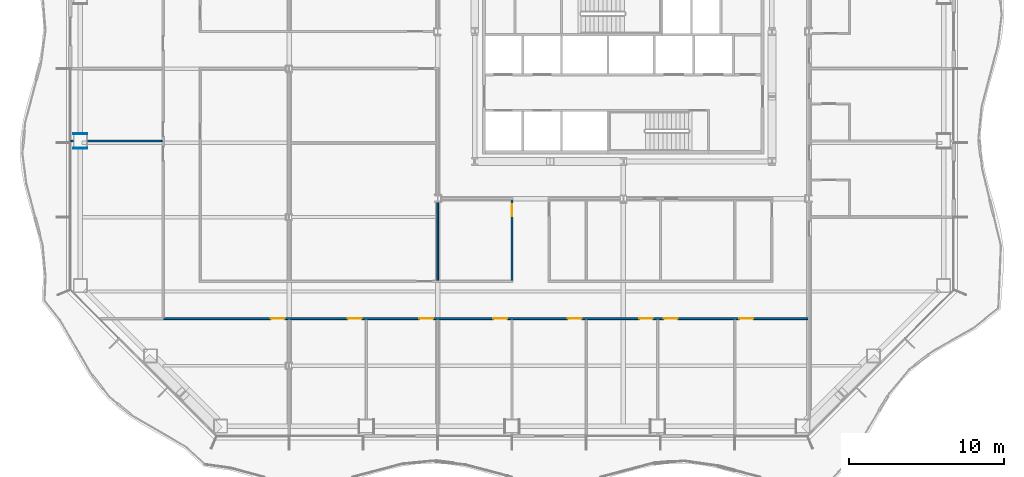
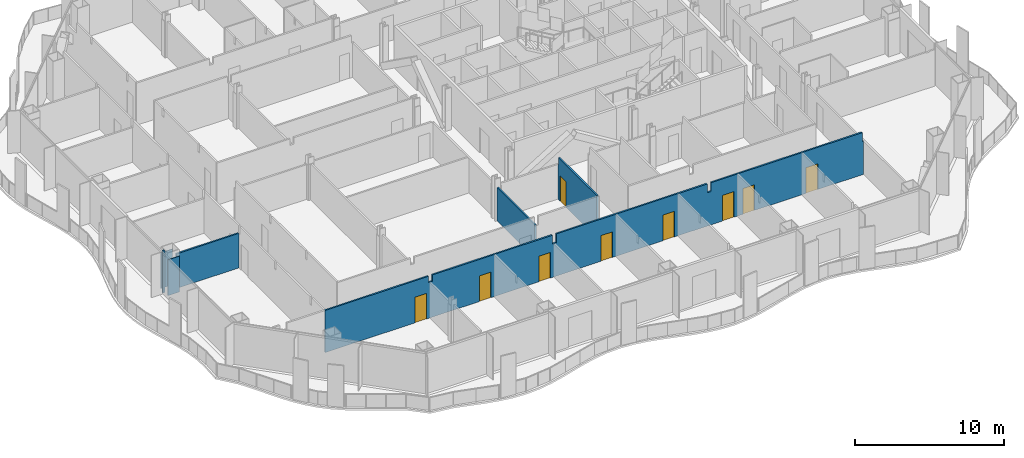
# One storey, part 7 of 21: 9 doors, 7 walls, 9 openings.
"""IFC4 building model written with IfcOpenShell, lengths in metres."""

from ifc_helpers import new_model, si_unit, direction, frame, frame_2d, origin, place, context, subcontext, project, spatial, polyline, rectangle, outline, extrude, material, layer, layer_set, type_object, element, fill, save


model = new_model("IFC4")

# Units and contexts
model_context = context("Model", 3, precision=1e-05, world=origin(), true_north=direction((0.0, 1.0)))
body_context = subcontext(model_context, "Body", "Model", "MODEL_VIEW")
ifc_project = project(units=[si_unit("LENGTHUNIT", "METRE"), si_unit("AREAUNIT", "SQUARE_METRE"), si_unit("VOLUMEUNIT", "CUBIC_METRE"), si_unit("PLANEANGLEUNIT", "RADIAN"), si_unit("MASSUNIT", "GRAM", prefix="KILO")], contexts=[model_context])

# Site, building, storey
site_placement = place(None, origin())
site = spatial("IfcSite", under=ifc_project, at=site_placement, CompositionType="ELEMENT")
building_placement = place(site_placement, origin())
building = spatial("IfcBuilding", under=site, at=building_placement, Name="Cairn Pilgrim Tower", CompositionType="ELEMENT")
storey_placement = place(building_placement, frame((0.0, 0.0, 69.0)))
storey = spatial("IfcBuildingStorey", under=building, at=storey_placement, Name="L15", CompositionType="ELEMENT", Elevation=69.0)

# Wall, openings, doors
ifc_material_1 = material(Name="Gypsum partition")
ifc_layer_1 = layer(ifc_material_1, 0.125)
ifc_layer_set_1 = layer_set([ifc_layer_1], Name="PARTITION 125 DRYWALL EI 60")
wall_type_1 = type_object("IfcWallType", Name="PARTITION 125 DRYWALL EI 60", PredefinedType="PARTITIONING", material=ifc_layer_set_1)
wall_1_placement = place(storey_placement, frame((-22.550048828125, -16.14990234375, 0.0), z_axis=(0.0, 0.0, 1.0), x_axis=(1.0, 0.0, 0.0)))
wall_1 = element("IfcWall", 1, at=wall_1_placement, inside=storey, type_object=wall_type_1, Name="PARTITION W013", PredefinedType="PARTITIONING", context=body_context, shape_type="SweptSolid", body=[
    extrude(outline(polyline([(0.0, 0.0), (41.6875, 0.0), (41.6875, 2.72998046875), (41.60009765625, 2.72998046875), (41.597900390625, 3.449951171875), (29.89990234375, 3.449951171875), (29.89794921875, 2.72998046875), (29.60009765625, 2.72998046875), (29.597900390625, 3.449951171875), (17.89990234375, 3.449951171875), (17.89794921875, 2.72998046875), (17.60009765625, 2.72998046875), (17.597900390625, 3.449951171875), (8.300048828125, 3.449951171875), (8.298095703125, 2.929931640625), (8.0, 2.929931640625), (7.998046875, 3.449951171875), (0.0, 3.449951171875), (0.0, 0.0)])), frame((0.0, 0.0625, 0.0), z_axis=(0.0, -1.0, 0.0), x_axis=(1.0, 0.0, 0.0)), (0.0, 0.0, 1.0), 0.125),
])
opening_1_placement = place(wall_1_placement, frame((6.949951171875, 0.0, 0.0)))
opening_1 = element("IfcOpeningElement", 2, at=opening_1_placement, cuts=wall_1, Name="Opening 1501", PredefinedType="OPENING", context=body_context, shape_type="SweptSolid", body=[
    extrude(rectangle(XDim=0.89990234375, YDim=2.10009765625, at=frame_2d((0.449951171875, 1.050048828125))), frame((0.0, 0.072509765625, 0.0), z_axis=(0.0, -1.0, 0.0), x_axis=(1.0, 0.0, 0.0)), (0.0, 0.0, 1.0), 0.14501953125),
])
opening_2_placement = place(wall_1_placement, frame((11.93603515625, 0.0, 0.0)))
opening_2 = element("IfcOpeningElement", 3, at=opening_2_placement, cuts=wall_1, Name="Opening 1502", PredefinedType="OPENING", context=body_context, shape_type="SweptSolid", body=[
    extrude(rectangle(XDim=0.89990234375, YDim=2.10009765625, at=frame_2d((0.449951171875, 1.050048828125))), frame((0.0, 0.072509765625, 0.0), z_axis=(0.0, -1.0, 0.0), x_axis=(1.0, 0.0, 0.0)), (0.0, 0.0, 1.0), 0.14501953125),
])
opening_3_placement = place(wall_1_placement, frame((16.550048828125, 0.0, 0.0)))
opening_3 = element("IfcOpeningElement", 4, at=opening_3_placement, cuts=wall_1, Name="Opening 1503", PredefinedType="OPENING", context=body_context, shape_type="SweptSolid", body=[
    extrude(rectangle(XDim=0.89990234375, YDim=2.10009765625, at=frame_2d((0.449951171875, 1.050048828125))), frame((0.0, 0.072509765625, 0.0), z_axis=(0.0, -1.0, 0.0), x_axis=(1.0, 0.0, 0.0)), (0.0, 0.0, 1.0), 0.14501953125),
])
opening_4_placement = place(wall_1_placement, frame((21.35009765625, 0.0, 0.0)))
opening_4 = element("IfcOpeningElement", 5, at=opening_4_placement, cuts=wall_1, Name="Opening 1504", PredefinedType="OPENING", context=body_context, shape_type="SweptSolid", body=[
    extrude(rectangle(XDim=0.89990234375, YDim=2.10009765625, at=frame_2d((0.449951171875, 1.050048828125))), frame((0.0, 0.072509765625, 0.0), z_axis=(0.0, -1.0, 0.0), x_axis=(1.0, 0.0, 0.0)), (0.0, 0.0, 1.0), 0.14501953125),
])
opening_5_placement = place(wall_1_placement, frame((26.14990234375, 0.0, 0.0)))
opening_5 = element("IfcOpeningElement", 6, at=opening_5_placement, cuts=wall_1, Name="Opening 1505", PredefinedType="OPENING", context=body_context, shape_type="SweptSolid", body=[
    extrude(rectangle(XDim=0.89990234375, YDim=2.10009765625, at=frame_2d((0.449951171875, 1.050048828125))), frame((0.0, 0.072509765625, 0.0), z_axis=(0.0, -1.0, 0.0), x_axis=(1.0, 0.0, 0.0)), (0.0, 0.0, 1.0), 0.14501953125),
])
opening_6_placement = place(wall_1_placement, frame((30.763916015625, 0.0, 0.0)))
opening_6 = element("IfcOpeningElement", 7, at=opening_6_placement, cuts=wall_1, Name="Opening 1506", PredefinedType="OPENING", context=body_context, shape_type="SweptSolid", body=[
    extrude(rectangle(XDim=0.89990234375, YDim=2.10009765625, at=frame_2d((0.449951171875, 1.050048828125))), frame((0.0, 0.072509765625, 0.0), z_axis=(0.0, -1.0, 0.0), x_axis=(1.0, 0.0, 0.0)), (0.0, 0.0, 1.0), 0.14501953125),
])
opening_7_placement = place(wall_1_placement, frame((32.35009765625, 0.0, 0.0)))
opening_7 = element("IfcOpeningElement", 8, at=opening_7_placement, cuts=wall_1, Name="Opening 1507", PredefinedType="OPENING", context=body_context, shape_type="SweptSolid", body=[
    extrude(rectangle(XDim=0.89990234375, YDim=2.10009765625, at=frame_2d((0.449951171875, 1.050048828125))), frame((0.0, 0.072509765625, 0.0), z_axis=(0.0, -1.0, 0.0), x_axis=(1.0, 0.0, 0.0)), (0.0, 0.0, 1.0), 0.14501953125),
])
opening_8_placement = place(wall_1_placement, frame((37.25, 0.0, 0.0)))
opening_8 = element("IfcOpeningElement", 9, at=opening_8_placement, cuts=wall_1, Name="Opening 1508", PredefinedType="OPENING", context=body_context, shape_type="SweptSolid", body=[
    extrude(rectangle(XDim=0.89990234375, YDim=2.10009765625, at=frame_2d((0.449951171875, 1.050048828125))), frame((0.0, 0.072509765625, 0.0), z_axis=(0.0, -1.0, 0.0), x_axis=(1.0, 0.0, 0.0)), (0.0, 0.0, 1.0), 0.14501953125),
])
ifc_material_2 = material(Name="Steel-faced fire door leaf", Category="steel")
door_type_1 = type_object("IfcDoorType", Name="FIRE DOOR 900x2100 FD30S", OperationType="NOTDEFINED", PredefinedType="DOOR", material=ifc_material_2)
door_1_placement = place(opening_1_placement, frame((0.89990234375, 0.0, 0.0), z_axis=(0.0, 0.0, 1.0), x_axis=(-1.0, 0.0, 0.0)))
door_1 = element("IfcDoor", 10, at=door_1_placement, inside=storey, type_object=door_type_1, Name="DOOR 1501", OperationType="SINGLE_SWING_RIGHT", OverallHeight=2.10009765625, OverallWidth=0.89990234375, PredefinedType="DOOR", context=body_context, shape_type="SweptSolid", body=[
    extrude(rectangle(XDim=0.89990234375, YDim=2.10009765625, at=frame_2d((0.449951171875, 1.050048828125))), frame((0.0, 0.02490234375, 0.0), z_axis=(0.0, -1.0, 0.0), x_axis=(1.0, 0.0, 0.0)), (0.0, 0.0, 1.0), 0.050048828125),
])
fill(opening_1, door_1)
door_2_placement = place(opening_2_placement, frame((0.89990234375, 0.0, 0.0), z_axis=(0.0, 0.0, 1.0), x_axis=(-1.0, 0.0, 0.0)))
door_2 = element("IfcDoor", 11, at=door_2_placement, inside=storey, type_object=door_type_1, Name="DOOR 1502", OperationType="SINGLE_SWING_LEFT", OverallHeight=2.10009765625, OverallWidth=0.89990234375, PredefinedType="DOOR", context=body_context, shape_type="SweptSolid", body=[
    extrude(rectangle(XDim=0.89990234375, YDim=2.10009765625, at=frame_2d((0.449951171875, 1.050048828125))), frame((0.0, 0.02490234375, 0.0), z_axis=(0.0, -1.0, 0.0), x_axis=(1.0, 0.0, 0.0)), (0.0, 0.0, 1.0), 0.050048828125),
])
fill(opening_2, door_2)
door_3_placement = place(opening_3_placement, frame((0.89990234375, 0.0, 0.0), z_axis=(0.0, 0.0, 1.0), x_axis=(-1.0, 0.0, 0.0)))
door_3 = element("IfcDoor", 12, at=door_3_placement, inside=storey, type_object=door_type_1, Name="DOOR 1503", OperationType="SINGLE_SWING_RIGHT", OverallHeight=2.10009765625, OverallWidth=0.89990234375, PredefinedType="DOOR", context=body_context, shape_type="SweptSolid", body=[
    extrude(rectangle(XDim=0.89990234375, YDim=2.10009765625, at=frame_2d((0.449951171875, 1.050048828125))), frame((0.0, 0.02490234375, 0.0), z_axis=(0.0, -1.0, 0.0), x_axis=(1.0, 0.0, 0.0)), (0.0, 0.0, 1.0), 0.050048828125),
])
fill(opening_3, door_3)
door_4_placement = place(opening_4_placement, frame((0.89990234375, 0.0, 0.0), z_axis=(0.0, 0.0, 1.0), x_axis=(-1.0, 0.0, 0.0)))
door_4 = element("IfcDoor", 13, at=door_4_placement, inside=storey, type_object=door_type_1, Name="DOOR 1504", OperationType="SINGLE_SWING_LEFT", OverallHeight=2.10009765625, OverallWidth=0.89990234375, PredefinedType="DOOR", context=body_context, shape_type="SweptSolid", body=[
    extrude(rectangle(XDim=0.89990234375, YDim=2.10009765625, at=frame_2d((0.449951171875, 1.050048828125))), frame((0.0, 0.02490234375, 0.0), z_axis=(0.0, -1.0, 0.0), x_axis=(1.0, 0.0, 0.0)), (0.0, 0.0, 1.0), 0.050048828125),
])
fill(opening_4, door_4)
door_5_placement = place(opening_5_placement, frame((0.89990234375, 0.0, 0.0), z_axis=(0.0, 0.0, 1.0), x_axis=(-1.0, 0.0, 0.0)))
door_5 = element("IfcDoor", 14, at=door_5_placement, inside=storey, type_object=door_type_1, Name="DOOR 1505", OperationType="SINGLE_SWING_RIGHT", OverallHeight=2.10009765625, OverallWidth=0.89990234375, PredefinedType="DOOR", context=body_context, shape_type="SweptSolid", body=[
    extrude(rectangle(XDim=0.89990234375, YDim=2.10009765625, at=frame_2d((0.449951171875, 1.050048828125))), frame((0.0, 0.02490234375, 0.0), z_axis=(0.0, -1.0, 0.0), x_axis=(1.0, 0.0, 0.0)), (0.0, 0.0, 1.0), 0.050048828125),
])
fill(opening_5, door_5)
door_6_placement = place(opening_6_placement, frame((0.89990234375, 0.0, 0.0), z_axis=(0.0, 0.0, 1.0), x_axis=(-1.0, 0.0, 0.0)))
door_6 = element("IfcDoor", 15, at=door_6_placement, inside=storey, type_object=door_type_1, Name="DOOR 1506", OperationType="SINGLE_SWING_LEFT", OverallHeight=2.10009765625, OverallWidth=0.89990234375, PredefinedType="DOOR", context=body_context, shape_type="SweptSolid", body=[
    extrude(rectangle(XDim=0.89990234375, YDim=2.10009765625, at=frame_2d((0.449951171875, 1.050048828125))), frame((0.0, 0.02490234375, 0.0), z_axis=(0.0, -1.0, 0.0), x_axis=(1.0, 0.0, 0.0)), (0.0, 0.0, 1.0), 0.050048828125),
])
fill(opening_6, door_6)
door_7_placement = place(opening_7_placement, frame((0.89990234375, 0.0, 0.0), z_axis=(0.0, 0.0, 1.0), x_axis=(-1.0, 0.0, 0.0)))
door_7 = element("IfcDoor", 16, at=door_7_placement, inside=storey, type_object=door_type_1, Name="DOOR 1507", OperationType="SINGLE_SWING_RIGHT", OverallHeight=2.10009765625, OverallWidth=0.89990234375, PredefinedType="DOOR", context=body_context, shape_type="SweptSolid", body=[
    extrude(rectangle(XDim=0.89990234375, YDim=2.10009765625, at=frame_2d((0.449951171875, 1.050048828125))), frame((0.0, 0.02490234375, 0.0), z_axis=(0.0, -1.0, 0.0), x_axis=(1.0, 0.0, 0.0)), (0.0, 0.0, 1.0), 0.050048828125),
])
fill(opening_7, door_7)
door_8_placement = place(opening_8_placement, frame((0.89990234375, 0.0, 0.0), z_axis=(0.0, 0.0, 1.0), x_axis=(-1.0, 0.0, 0.0)))
door_8 = element("IfcDoor", 17, at=door_8_placement, inside=storey, type_object=door_type_1, Name="DOOR 1508", OperationType="SINGLE_SWING_LEFT", OverallHeight=2.10009765625, OverallWidth=0.89990234375, PredefinedType="DOOR", context=body_context, shape_type="SweptSolid", body=[
    extrude(rectangle(XDim=0.89990234375, YDim=2.10009765625, at=frame_2d((0.449951171875, 1.050048828125))), frame((0.0, 0.02490234375, 0.0), z_axis=(0.0, -1.0, 0.0), x_axis=(1.0, 0.0, 0.0)), (0.0, 0.0, 1.0), 0.050048828125),
])
fill(opening_8, door_8)

# Wall
wall_2_placement = place(storey_placement, frame((-4.800048828125, -13.6875, 0.0), z_axis=(0.0, 0.0, 1.0), x_axis=(0.0, 1.0, 0.0)))
element("IfcWall", 18, at=wall_2_placement, inside=storey, type_object=wall_type_1, Name="PARTITION W020", PredefinedType="PARTITIONING", context=body_context, shape_type="SweptSolid", body=[
    extrude(rectangle(XDim=5.050537109375, YDim=0.125, at=frame_2d((2.525390625, 0.0))), origin(), (0.0, 0.0, 1.0), 2.72998046875),
])

# Wall, opening, door
wall_3_placement = place(storey_placement, frame((0.0, -13.6875, 0.0), z_axis=(0.0, 0.0, 1.0), x_axis=(0.0, 1.0, 0.0)))
wall_3 = element("IfcWall", 19, at=wall_3_placement, inside=storey, type_object=wall_type_1, Name="PARTITION W021", PredefinedType="PARTITIONING", context=body_context, shape_type="SweptSolid", body=[
    extrude(outline(polyline([(0.0, 0.0), (5.22509765625, 0.0), (5.22509765625, 2.830078125), (5.137451171875, 2.830078125), (5.135498046875, 3.449951171875), (0.0, 3.449951171875), (0.0, 0.0)])), frame((0.0, 0.0625, 0.0), z_axis=(0.0, -1.0, 0.0), x_axis=(1.0, 0.0, 0.0)), (0.0, 0.0, 1.0), 0.125),
])
opening_9_placement = place(wall_3_placement, frame((4.137451171875, 0.0, 0.0)))
opening_9 = element("IfcOpeningElement", 20, at=opening_9_placement, cuts=wall_3, Name="Opening 1535", PredefinedType="OPENING", context=body_context, shape_type="SweptSolid", body=[
    extrude(rectangle(XDim=0.800048828125, YDim=2.10009765625, at=frame_2d((0.39990234375, 1.050048828125))), frame((0.0, 0.072509765625, 0.0), z_axis=(0.0, -1.0, 0.0), x_axis=(1.0, 0.0, 0.0)), (0.0, 0.0, 1.0), 0.14501953125),
])
door_type_2 = type_object("IfcDoorType", Name="FIRE DOOR 800x2100 FD30S", OperationType="NOTDEFINED", PredefinedType="DOOR", material=ifc_material_2)
door_9_placement = place(opening_9_placement, origin())
door_9 = element("IfcDoor", 21, at=door_9_placement, inside=storey, type_object=door_type_2, Name="DOOR 1535", OperationType="SINGLE_SWING_RIGHT", OverallHeight=2.10009765625, OverallWidth=0.800048828125, PredefinedType="DOOR", context=body_context, shape_type="SweptSolid", body=[
    extrude(rectangle(XDim=0.800048828125, YDim=2.10009765625, at=frame_2d((0.39990234375, 1.050048828125))), frame((0.0, 0.02490234375, 0.0), z_axis=(0.0, -1.0, 0.0), x_axis=(1.0, 0.0, 0.0)), (0.0, 0.0, 1.0), 0.050048828125),
])
fill(opening_9, door_9)

# Walls
wall_4_placement = place(storey_placement, frame((-28.5029296875, -4.676025390625, 0.0), z_axis=(0.0, 0.0, 1.0), x_axis=(1.0, 0.0, 0.0)))
element("IfcWall", 22, at=wall_4_placement, inside=storey, type_object=wall_type_1, Name="PARTITION W037", PredefinedType="PARTITIONING", context=body_context, shape_type="SweptSolid", body=[
    extrude(rectangle(XDim=0.15283203125, YDim=0.125, at=frame_2d((0.076416015625, 0.0))), origin(), (0.0, 0.0, 1.0), 3.449951171875),
])
wall_5_placement = place(storey_placement, frame((-27.449951171875, -4.676025390625, 0.0), z_axis=(0.0, 0.0, 1.0), x_axis=(1.0, 0.0, 0.0)))
element("IfcWall", 23, at=wall_5_placement, inside=storey, type_object=wall_type_1, Name="PARTITION W038", PredefinedType="PARTITIONING", context=body_context, shape_type="SweptSolid", body=[
    extrude(rectangle(XDim=4.83740234375, YDim=0.125, at=frame_2d((2.418701171875, 0.0))), origin(), (0.0, 0.0, 1.0), 2.830078125),
])
ifc_layer_2 = layer(ifc_material_1, 0.050048828125)
ifc_layer_set_2 = layer_set([ifc_layer_2], Name="PARTITION 50 DRYWALL EI 60")
wall_type_2 = type_object("IfcWallType", Name="PARTITION 50 DRYWALL EI 60", PredefinedType="PARTITIONING", material=ifc_layer_set_2)
for number, where, z_axis, x_axis, name in (
    (24, (-28.35009765625, -4.20068359375, 0.0), (0.0, 0.0, 1.0), (1.0, 0.0, 0.0), "COLUMN CASING WC17"),
    (25, (-28.35009765625, -5.150634765625, 0.0), (0.0, 0.0, 1.0), (1.0, 0.0, 0.0), "COLUMN CASING WC18"),
):
    element("IfcWall", number, at=place(storey_placement, frame(where, z_axis=z_axis, x_axis=x_axis)), inside=storey, type_object=wall_type_2, Name=name, PredefinedType="PARTITIONING", context=body_context, shape_type="SweptSolid", body=[
        extrude(rectangle(XDim=0.900146484375, YDim=0.050048828125, at=frame_2d((0.4501953125, 0.0))), origin(), (0.0, 0.0, 1.0), 2.929931640625),
    ])

save(model, "model.ifc")
